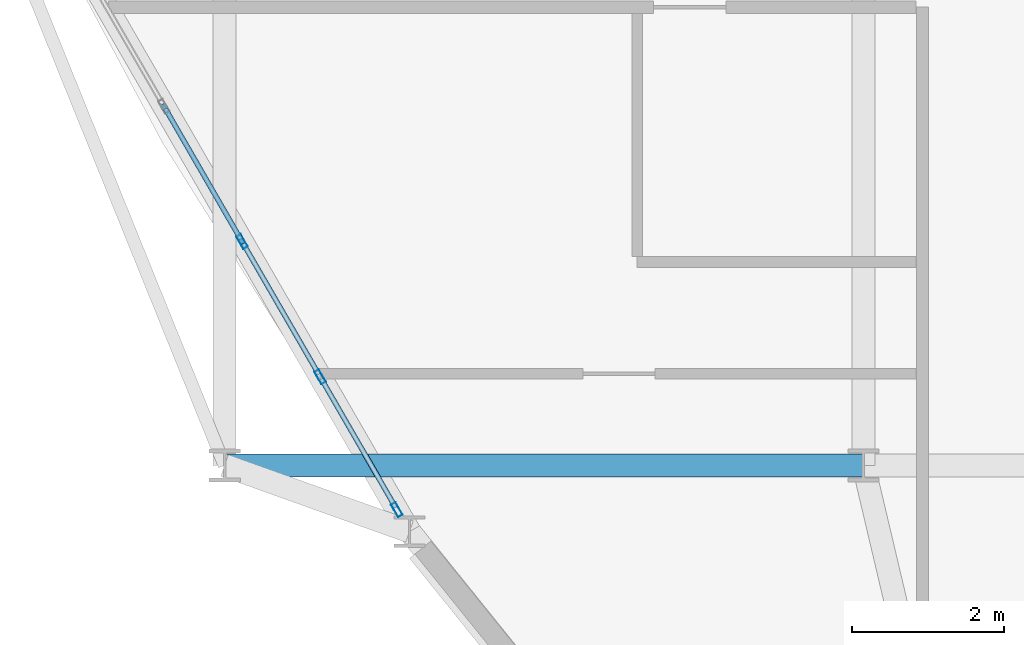
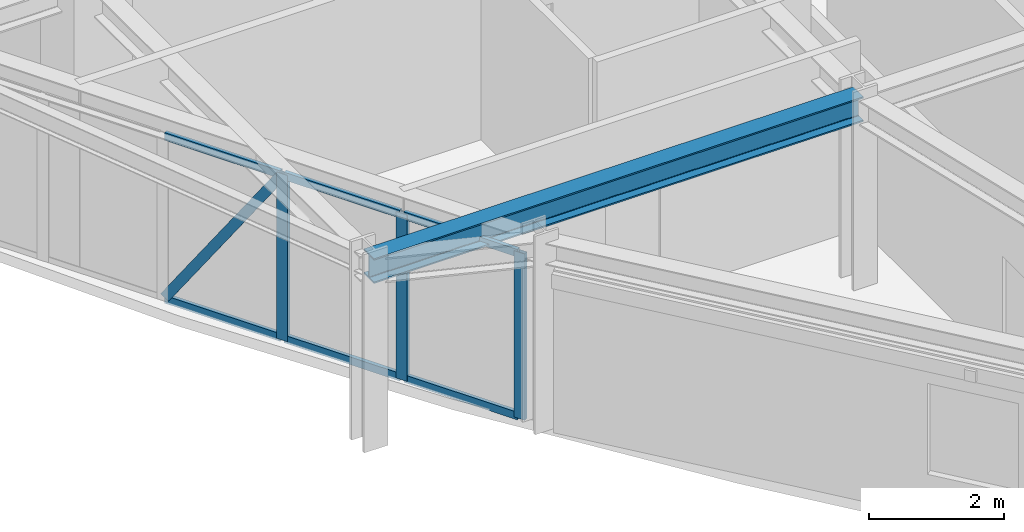
# One storey, part 2 of 16: 10 members, 1 beam, 1 element without a shape of its own.
"""IFC4 building model written with IfcOpenShell, lengths in metres."""

import ifcopenshell
import ifcopenshell.guid

model = None  # the IFC model being written
_history = None  # IfcOwnerHistory: only IFC2X3 demands one
_inside = {}  # id of a spatial element -> (the spatial element, [elements in it])
_under = {}  # id of a project, library or spatial element -> (it, [spatial elements below it])
_declared = {}  # id of a project -> (the project, [libraries it declares])
_typed = {}  # id of a type object -> (the type object, [elements of that type])
_made_of = {}  # id of a material, layer set ... -> (it, [elements and type objects made of it])


def new_model(schema):
    """Start an empty IFC model of exactly this schema.

    Asked for "IFC4X3", IfcOpenShell would pick the latest addendum, in which some entities
    have other attributes; the version numbers below select the first issue.
    IFC2X3 requires an IfcOwnerHistory on every rooted entity: one is made here for all.
    """
    global model, _history
    if schema == "IFC4X3":
        model = ifcopenshell.file(schema_version=(4, 3, 0, 0))
    else:
        model = ifcopenshell.file(schema=schema)
    _inside.clear()
    _under.clear()
    _declared.clear()
    _typed.clear()
    _made_of.clear()
    _history = None
    if model.schema == "IFC2X3":
        org = make("IfcOrganization", Name="unknown")
        user = make(
            "IfcPersonAndOrganization",
            ThePerson=make("IfcPerson", FamilyName="unknown"),
            TheOrganization=org,
        )
        app = make(
            "IfcApplication",
            ApplicationDeveloper=org,
            Version="unknown",
            ApplicationFullName="unknown",
            ApplicationIdentifier="unknown",
        )
        _history = make(
            "IfcOwnerHistory",
            OwningUser=user,
            OwningApplication=app,
            ChangeAction="ADDED",
            CreationDate=0,
        )
    return model


def make(cls, **values):
    """One entity of the class cls with the attributes given. An attribute that is None is left unset."""
    return model.create_entity(
        cls, **{name: value for name, value in values.items() if value is not None}
    )


def rooted(cls, **values):
    """An entity with a GlobalId (a new one), such as an element, a storey or a relation."""
    return make(cls, GlobalId=ifcopenshell.guid.new(), OwnerHistory=_history, **values)


def si_unit(unit_type, name, prefix=None):
    """IfcSIUnit, for example si_unit("LENGTHUNIT", "METRE", prefix="MILLI")."""
    return make("IfcSIUnit", UnitType=unit_type, Prefix=prefix, Name=name)


def derived_unit(unit_type, elements):
    """IfcDerivedUnit: a product of units, each with its exponent."""
    return make(
        "IfcDerivedUnit",
        Elements=[
            make("IfcDerivedUnitElement", Unit=unit, Exponent=power)
            for unit, power in elements
        ],
        UnitType=unit_type,
    )


def assignment(units):
    """IfcUnitAssignment: the units of a project."""
    return None if units is None else make("IfcUnitAssignment", Units=units)


def point(xyz):
    """IfcCartesianPoint."""
    return None if xyz is None else make("IfcCartesianPoint", Coordinates=xyz)


def direction(xyz):
    """IfcDirection."""
    return None if xyz is None else make("IfcDirection", DirectionRatios=xyz)


def frame(location, z_axis=None, x_axis=None):
    """IfcAxis2Placement3D, a coordinate frame: its origin and axes. An axis left out is left unset."""
    return make(
        "IfcAxis2Placement3D",
        Location=point(location),
        Axis=direction(z_axis),
        RefDirection=direction(x_axis),
    )


def frame_2d(location, x_axis=None):
    """IfcAxis2Placement2D, a coordinate frame in the plane: its origin and x axis."""
    return make(
        "IfcAxis2Placement2D", Location=point(location), RefDirection=direction(x_axis)
    )


def origin():
    """The frame at (0, 0, 0) with its axes left unset."""
    return frame((0.0, 0.0, 0.0))


def origin_2d():
    """The frame at (0, 0) in the plane with its x axis left unset."""
    return frame_2d((0.0, 0.0))


def place(relative_to, where):
    """IfcLocalPlacement: puts the frame where relative to a parent placement (None: the world)."""
    return make(
        "IfcLocalPlacement", PlacementRelTo=relative_to, RelativePlacement=where
    )


def context(
    kind, dimensions, precision=None, world=None, true_north=None, identifier=None
):
    """IfcGeometricRepresentationContext, for example the 3D "Model" context."""
    return make(
        "IfcGeometricRepresentationContext",
        ContextIdentifier=identifier,
        ContextType=kind,
        CoordinateSpaceDimension=dimensions,
        Precision=precision,
        WorldCoordinateSystem=world,
        TrueNorth=true_north,
    )


def subcontext(parent, identifier, kind, view, scale=None):
    """IfcGeometricRepresentationSubContext, for example "Body" below "Model"."""
    return make(
        "IfcGeometricRepresentationSubContext",
        ContextIdentifier=identifier,
        ContextType=kind,
        ParentContext=parent,
        TargetScale=scale,
        TargetView=view,
    )


def project(units=None, contexts=None):
    """IfcProject with its units and contexts."""
    return rooted(
        "IfcProject",
        Name="project",
        RepresentationContexts=contexts,
        UnitsInContext=assignment(units),
    )


def spatial(cls, under=None, at=None, **own):
    """A site, building, storey or space (cls), placed at a placement, below another one or the project."""
    s = rooted(cls, ObjectPlacement=at, **own)
    if under is not None:
        _under.setdefault(under.id(), (under, []))[1].append(s)
    return s


def profile(cls, at=None, kind="AREA", **sizes):
    """A parametric profile (cls). Its sizes go by their IFC names, for example OverallWidth=200.0."""
    return make(cls, ProfileType=kind, Position=at, **sizes)


def hollow_rectangle(**sizes):
    """IfcRectangleHollowProfileDef."""
    return profile("IfcRectangleHollowProfileDef", **sizes)


def i_section(**sizes):
    """IfcIShapeProfileDef."""
    return profile("IfcIShapeProfileDef", **sizes)


def extrude(swept, where, along, depth):
    """IfcExtrudedAreaSolid: the profile swept, set in the frame where, extruded along a direction by depth."""
    return make(
        "IfcExtrudedAreaSolid",
        SweptArea=swept,
        Position=where,
        ExtrudedDirection=direction(along),
        Depth=depth,
    )


def shape(context_of_items, identifier, shape_type, items):
    """IfcShapeRepresentation: the items that make up one representation, for example the "Body"."""
    return make(
        "IfcShapeRepresentation",
        ContextOfItems=context_of_items,
        RepresentationIdentifier=identifier,
        RepresentationType=shape_type,
        Items=items,
    )


def source(mapping_origin, context_of_items, identifier, shape_type, items):
    """IfcRepresentationMap: a shape defined once, which mapped items show again and again."""
    return make(
        "IfcRepresentationMap",
        MappingOrigin=mapping_origin,
        MappedRepresentation=shape(context_of_items, identifier, shape_type, items),
    )


def transform(
    local_origin,
    x_axis=None,
    y_axis=None,
    z_axis=None,
    scale=None,
    scale2=None,
    scale3=None,
    uniform=True,
):
    """IfcCartesianTransformationOperator3D, or its non-uniform kind. x_axis, y_axis, z_axis: its Axis1, 2, 3."""
    if uniform:
        return make(
            "IfcCartesianTransformationOperator3D",
            Axis1=direction(x_axis),
            Axis2=direction(y_axis),
            LocalOrigin=point(local_origin),
            Scale=scale,
            Axis3=direction(z_axis),
        )
    return make(
        "IfcCartesianTransformationOperator3DnonUniform",
        Axis1=direction(x_axis),
        Axis2=direction(y_axis),
        LocalOrigin=point(local_origin),
        Scale=scale,
        Axis3=direction(z_axis),
        Scale2=scale2,
        Scale3=scale3,
    )


def mapped(mapping_source, mapping_target):
    """IfcMappedItem: shows the shape of a source again, moved by a transform."""
    return make(
        "IfcMappedItem", MappingSource=mapping_source, MappingTarget=mapping_target
    )


def material(Name=None, Category=None):
    """IfcMaterial."""
    return make("IfcMaterial", Name=Name, Category=Category)


def layer(
    of_material, thickness, ventilated=None, Name=None, Category=None, Priority=None
):
    """IfcMaterialLayer: one layer of a wall or slab, of a material (None: an air gap)."""
    return make(
        "IfcMaterialLayer",
        Material=of_material,
        LayerThickness=thickness,
        IsVentilated=ventilated,
        Name=Name,
        Category=Category,
        Priority=Priority,
    )


def layer_set(layers, Name=None):
    """IfcMaterialLayerSet."""
    return make("IfcMaterialLayerSet", MaterialLayers=layers, LayerSetName=Name)


def material_profile(
    of_material, cross_section, Name=None, Category=None, Priority=None
):
    """IfcMaterialProfile: a cross section and its material."""
    return make(
        "IfcMaterialProfile",
        Name=Name,
        Material=of_material,
        Profile=cross_section,
        Priority=Priority,
        Category=Category,
    )


def profile_set(profiles, Name=None, composite=None):
    """IfcMaterialProfileSet."""
    return make(
        "IfcMaterialProfileSet",
        Name=Name,
        MaterialProfiles=profiles,
        CompositeProfile=composite,
    )


def made_of(thing, what):
    """Note that an element or type object is made of a material, layer set ...; save() writes the relation."""
    if what is not None:
        _made_of.setdefault(what.id(), (what, []))[1].append(thing)
    return thing


def type_object(cls, material=None, **own):
    """A type object (cls), such as IfcWallType, which elements share."""
    return made_of(rooted(cls, **own), material)


def element(
    cls,
    number,
    at=None,
    inside=None,
    cuts=None,
    type_object=None,
    material=None,
    context=None,
    identifier="Body",
    shape_type=None,
    held_by="IfcProductDefinitionShape",
    body=None,
    shapes=None,
    **own,
):
    """One element of the class cls, such as IfcWall. Its Tag is "e" and its number.

    at: its placement. inside: the storey or other place that contains it. cuts: it is an
    opening in that element (IfcRelVoidsElement). A single representation is given by context,
    identifier, shape_type and body (its items); several are given by shapes. held_by: the class
    of the entity that holds the representations. save() writes the other relations.
    """
    e = rooted(cls, Tag="e%d" % number, ObjectPlacement=at, **own)
    if body is not None:
        shapes = [shape(context, identifier, shape_type, body)]
    if shapes is not None:
        e.Representation = make(held_by, Representations=shapes)
    if inside is not None:
        _inside.setdefault(inside.id(), (inside, []))[1].append(e)
    if cuts is not None:
        rooted(
            "IfcRelVoidsElement", RelatingBuildingElement=cuts, RelatedOpeningElement=e
        )
    if type_object is not None:
        _typed.setdefault(type_object.id(), (type_object, []))[1].append(e)
    return made_of(e, material)


def aggregate(whole, parts):
    """IfcRelAggregates: a whole, such as a stair, and the parts it consists of."""
    return rooted("IfcRelAggregates", RelatingObject=whole, RelatedObjects=parts)


def save(model, path):
    """Write the relations noted so far, then the file.

    IfcRelAggregates (storeys below a building ...), IfcRelContainedInSpatialStructure (elements
    in a storey), IfcRelDefinesByType, IfcRelAssociatesMaterial and IfcRelDeclares: one each for
    every whole, place, type object, material and project.
    """
    for whole, parts in _under.values():
        aggregate(whole, parts)
    for where, things in _inside.values():
        rooted(
            "IfcRelContainedInSpatialStructure",
            RelatedElements=things,
            RelatingStructure=where,
        )
    for kind, things in _typed.values():
        rooted("IfcRelDefinesByType", RelatedObjects=things, RelatingType=kind)
    for what, things in _made_of.values():
        rooted("IfcRelAssociatesMaterial", RelatedObjects=things, RelatingMaterial=what)
    for by, libraries in _declared.values():
        rooted("IfcRelDeclares", RelatingContext=by, RelatedDefinitions=libraries)
    model.write(path)


model = new_model("IFC4")

# Units and contexts
model_context = context("Model", 3, precision=1e-05, world=origin(), true_north=direction((0.0, 1.0)))
body_context = subcontext(model_context, "Body", "Model", "MODEL_VIEW")
ifc_project = project(units=[si_unit("LENGTHUNIT", "METRE"), si_unit("AREAUNIT", "SQUARE_METRE"), si_unit("VOLUMEUNIT", "CUBIC_METRE"), si_unit("PLANEANGLEUNIT", "RADIAN"), si_unit("MASSUNIT", "GRAM", prefix="KILO"), derived_unit("THERMALTRANSMITTANCEUNIT", [(si_unit("POWERUNIT", "WATT"), 1), (si_unit("LENGTHUNIT", "METRE"), -2), (si_unit("THERMODYNAMICTEMPERATUREUNIT", "KELVIN"), -1)])], contexts=[model_context])

# Site, building, storey
site_placement = place(None, origin())
site = spatial("IfcSite", under=ifc_project, at=site_placement, CompositionType="ELEMENT")
building_placement = place(site_placement, origin())
building = spatial("IfcBuilding", under=site, at=building_placement, Name="Korsvarv Bourse and Concert Hall", CompositionType="ELEMENT")
storey_placement = place(building_placement, frame((0.0, 0.0, 227.39990234375)))
storey = spatial("IfcBuildingStorey", under=building, at=storey_placement, Name="L59", CompositionType="ELEMENT", Elevation=227.39990234375)

# Beam
ifc_material_1 = material(Name="Steel S355", Category="steel")
ifc_material_profile_1 = material_profile(ifc_material_1, i_section(OverallWidth=0.300048828125, OverallDepth=0.449951171875, WebThickness=0.013916015625, FlangeThickness=0.02587890625, FilletRadius=0.02099609375, at=origin_2d()), Name="HEB 450")
ifc_profile_set_1 = profile_set([ifc_material_profile_1], Name="Steel S355")
beam_type = type_object("IfcBeamType", Name="BM-HEB450", PredefinedType="SPANDREL", material=ifc_profile_set_1)
shared_shape_1 = source(origin(), body_context, "Body", "SweptSolid", [
    extrude(i_section(OverallWidth=0.300048828125, OverallDepth=0.449951171875, WebThickness=0.013916015625, FlangeThickness=0.02587890625, FilletRadius=0.02099609375, at=origin_2d()), origin(), (0.0, 0.0, 1.0), 8.39990234375),
])
beam_placement = place(storey_placement, frame((27.60009765625, 24.0, 3.18505859375), z_axis=(1.0, 0.0, 0.0), x_axis=(0.0, 1.0, 0.0)))
element("IfcBeam", 1, at=beam_placement, inside=storey, type_object=beam_type, Name="L59 beam B-08", PredefinedType="SPANDREL", context=body_context, shape_type="MappedRepresentation", body=[
    mapped(shared_shape_1, transform((0.0, 0.0, 0.0), scale=1.0)),
])

# Curtain wall, members
ifc_material_2 = material(Name="Anodised aluminium and triple low-E glazing", Category="glass")
ifc_layer = layer(ifc_material_2, 0.199951171875)
ifc_layer_set = layer_set([ifc_layer], Name="Anodised aluminium and triple low-E glazing")
curtain_wall_type = type_object("IfcCurtainWallType", Name="CW-SYS-3", PredefinedType="NOTDEFINED", material=ifc_layer_set)
curtain_wall_placement = place(storey_placement, origin())
curtain_wall = element("IfcCurtainWall", 2, at=curtain_wall_placement, inside=storey, type_object=curtain_wall_type, Name="L59 CW3 curtain wall CW-L59-F07-2", PredefinedType="NOTDEFINED")
ifc_material_3 = material(Name="Extruded aluminium EN AW-6063 T66", Category="aluminium")
ifc_material_profile_2 = material_profile(ifc_material_3, hollow_rectangle(XDim=0.06494140625, YDim=0.1650390625, WallThickness=0.0048828125, at=origin_2d()), Name="ALU-M 65x165")
ifc_profile_set_2 = profile_set([ifc_material_profile_2], Name="Extruded aluminium EN AW-6063 T66")
member_type_1 = type_object("IfcMemberType", Name="CWM-165", PredefinedType="MULLION", material=ifc_profile_set_2)
shared_shape_2 = source(origin(), body_context, "Body", "SweptSolid", [
    extrude(hollow_rectangle(XDim=0.06494140625, YDim=0.1650390625, WallThickness=0.0048828125, at=origin_2d()), origin(), (0.0, 0.0, 1.0), 3.5048828125),
])
member_1_placement = place(storey_placement, frame((26.820556640625, 28.691650390625, 0.065185546875), z_axis=(0.282876331905, -0.490035704249, 0.824527737198), x_axis=(0.866060538666, 0.499939139662, 0.0)))
member_1 = element("IfcMember", 3, at=member_1_placement, type_object=member_type_1, Name="CW3 diagonal mullion 3", PredefinedType="MULLION", context=body_context, shape_type="MappedRepresentation", body=[
    mapped(shared_shape_2, transform((0.0, 0.0, 0.0), scale=1.0)),
])
ifc_material_profile_3 = material_profile(ifc_material_3, hollow_rectangle(XDim=0.070068359375, YDim=0.18994140625, WallThickness=0.0048828125, at=origin_2d()), Name="ALU-M 70x190")
ifc_profile_set_3 = profile_set([ifc_material_profile_3], Name="Extruded aluminium EN AW-6063 T66")
member_type_2 = type_object("IfcMemberType", Name="CWM-190", PredefinedType="MULLION", material=ifc_profile_set_3)
shared_shape_3 = source(origin(), body_context, "Body", "SweptSolid", [
    extrude(hollow_rectangle(XDim=0.070068359375, YDim=0.18994140625, WallThickness=0.0048828125, at=origin_2d()), origin(), (0.0, 0.0, 1.0), 3.02001953125),
])
member_2_placement = place(storey_placement, frame((27.82958984375, 26.94384765625, 0.0), z_axis=(0.0, 0.0, 1.0), x_axis=(0.866025472463, 0.499999881045, 0.0)))
member_2 = element("IfcMember", 4, at=member_2_placement, type_object=member_type_2, Name="CW3 mullion 4", PredefinedType="MULLION", context=body_context, shape_type="MappedRepresentation", body=[
    mapped(shared_shape_3, transform((0.0, 0.0, 0.0), scale=1.0)),
])
member_3_placement = place(storey_placement, frame((28.856201171875, 25.165771484375, 0.0), z_axis=(0.0, 0.0, 1.0), x_axis=(0.866025472463, 0.499999881045, 0.0)))
member_3 = element("IfcMember", 5, at=member_3_placement, type_object=member_type_2, Name="CW3 mullion 5", PredefinedType="MULLION", context=body_context, shape_type="MappedRepresentation", body=[
    mapped(shared_shape_3, transform((0.0, 0.0, 0.0), scale=1.0)),
])
member_4_placement = place(storey_placement, frame((29.865234375, 23.418212890625, 0.0), z_axis=(0.0, 0.0, 1.0), x_axis=(0.866025472463, 0.499999881045, 0.0)))
member_4 = element("IfcMember", 6, at=member_4_placement, type_object=member_type_2, Name="CW3 mullion 6", PredefinedType="MULLION", context=body_context, shape_type="MappedRepresentation", body=[
    mapped(shared_shape_3, transform((0.0, 0.0, 0.0), scale=1.0)),
])
ifc_material_profile_4 = material_profile(ifc_material_3, hollow_rectangle(XDim=0.06494140625, YDim=0.139892578125, WallThickness=0.00390625, at=origin_2d()), Name="ALU-T 65x140")
ifc_profile_set_4 = profile_set([ifc_material_profile_4], Name="Extruded aluminium EN AW-6063 T66")
member_type_3 = type_object("IfcMemberType", Name="CWT-140", PredefinedType="USERDEFINED", material=ifc_profile_set_4)
shared_shape_4 = source(origin(), body_context, "Body", "SweptSolid", [
    extrude(hollow_rectangle(XDim=0.06494140625, YDim=0.139892578125, WallThickness=0.00390625, at=origin_2d()), origin(), (0.0, 0.0, 1.0), 1.947998046875),
])
member_5_placement = place(storey_placement, frame((28.873779296875, 25.135498046875, 0.03271484375), z_axis=(0.499953905513, -0.866052014814, 0.0), x_axis=(0.866052014814, 0.499953905513, 0.0)))
member_5 = element("IfcMember", 7, at=member_5_placement, type_object=member_type_3, Name="CW3 transom 5.1", ObjectType="TRANSOM", PredefinedType="USERDEFINED", context=body_context, shape_type="MappedRepresentation", body=[
    mapped(shared_shape_4, transform((0.0, 0.0, 0.0), scale=1.0)),
])
member_6_placement = place(storey_placement, frame((28.873779296875, 25.135498046875, 2.987548828125), z_axis=(0.499953905513, -0.866052014814, 0.0), x_axis=(0.866052014814, 0.499953905513, 0.0)))
member_6 = element("IfcMember", 8, at=member_6_placement, type_object=member_type_3, Name="CW3 transom 5.2", ObjectType="TRANSOM", PredefinedType="USERDEFINED", context=body_context, shape_type="MappedRepresentation", body=[
    mapped(shared_shape_4, transform((0.0, 0.0, 0.0), scale=1.0)),
])
shared_shape_5 = source(origin(), body_context, "Body", "SweptSolid", [
    extrude(hollow_rectangle(XDim=0.06494140625, YDim=0.139892578125, WallThickness=0.00390625, at=origin_2d()), origin(), (0.0, 0.0, 1.0), 1.983154296875),
])
member_7_placement = place(storey_placement, frame((26.820556640625, 28.691650390625, 0.03271484375), z_axis=(0.499939139662, -0.866060538666, 0.0), x_axis=(0.866060538666, 0.499939139662, 0.0)))
member_7 = element("IfcMember", 9, at=member_7_placement, type_object=member_type_3, Name="CW3 transom 3.1", ObjectType="TRANSOM", PredefinedType="USERDEFINED", context=body_context, shape_type="MappedRepresentation", body=[
    mapped(shared_shape_5, transform((0.0, 0.0, 0.0), scale=1.0)),
])
member_8_placement = place(storey_placement, frame((26.820556640625, 28.691650390625, 2.987548828125), z_axis=(0.499939139662, -0.866060538666, 0.0), x_axis=(0.866060538666, 0.499939139662, 0.0)))
member_8 = element("IfcMember", 10, at=member_8_placement, type_object=member_type_3, Name="CW3 transom 3.2", ObjectType="TRANSOM", PredefinedType="USERDEFINED", context=body_context, shape_type="MappedRepresentation", body=[
    mapped(shared_shape_5, transform((0.0, 0.0, 0.0), scale=1.0)),
])
member_9_placement = place(storey_placement, frame((27.84716796875, 26.91357421875, 0.03271484375), z_axis=(0.499939139662, -0.866060538666, 0.0), x_axis=(0.866060538666, 0.499939139662, 0.0)))
member_9 = element("IfcMember", 11, at=member_9_placement, type_object=member_type_3, Name="CW3 transom 4.1", ObjectType="TRANSOM", PredefinedType="USERDEFINED", context=body_context, shape_type="MappedRepresentation", body=[
    mapped(shared_shape_5, transform((0.0, 0.0, 0.0), scale=1.0)),
])
member_10_placement = place(storey_placement, frame((27.84716796875, 26.91357421875, 2.987548828125), z_axis=(0.499939139662, -0.866060538666, 0.0), x_axis=(0.866060538666, 0.499939139662, 0.0)))
member_10 = element("IfcMember", 12, at=member_10_placement, type_object=member_type_3, Name="CW3 transom 4.2", ObjectType="TRANSOM", PredefinedType="USERDEFINED", context=body_context, shape_type="MappedRepresentation", body=[
    mapped(shared_shape_5, transform((0.0, 0.0, 0.0), scale=1.0)),
])
aggregate(curtain_wall, [member_2, member_3, member_4, member_7, member_8, member_1, member_9, member_10, member_5, member_6])

save(model, "model.ifc")
